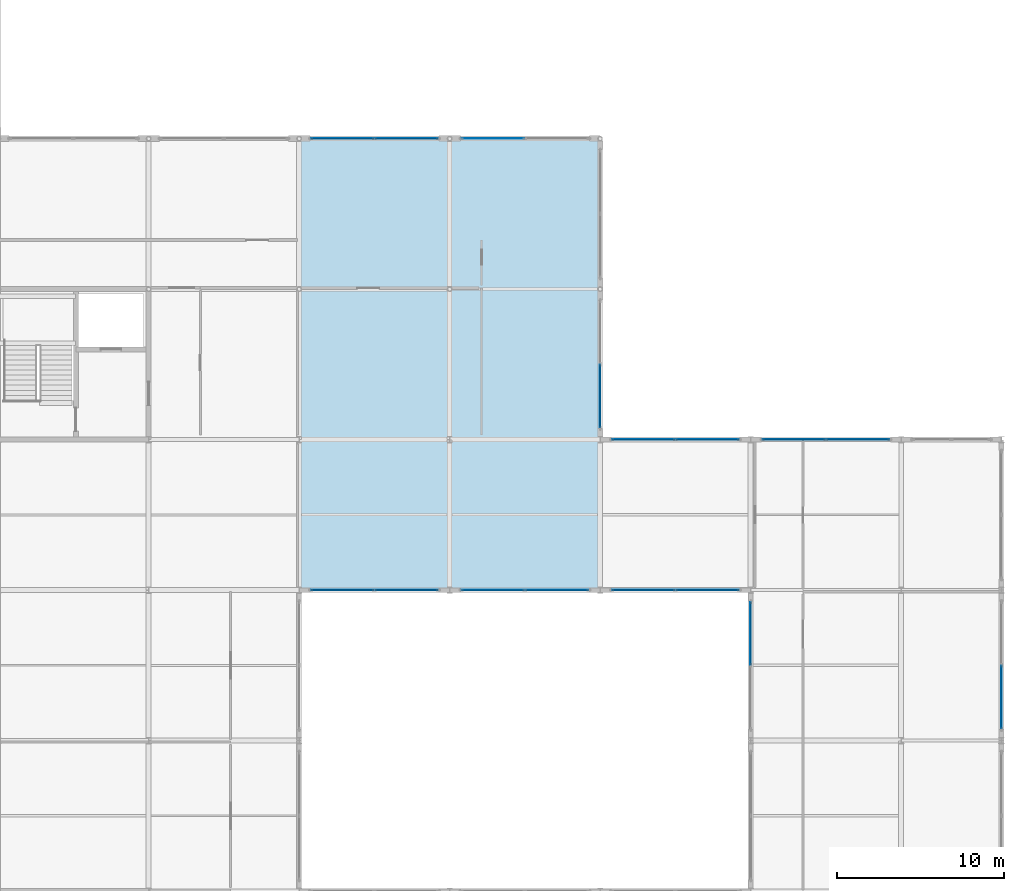
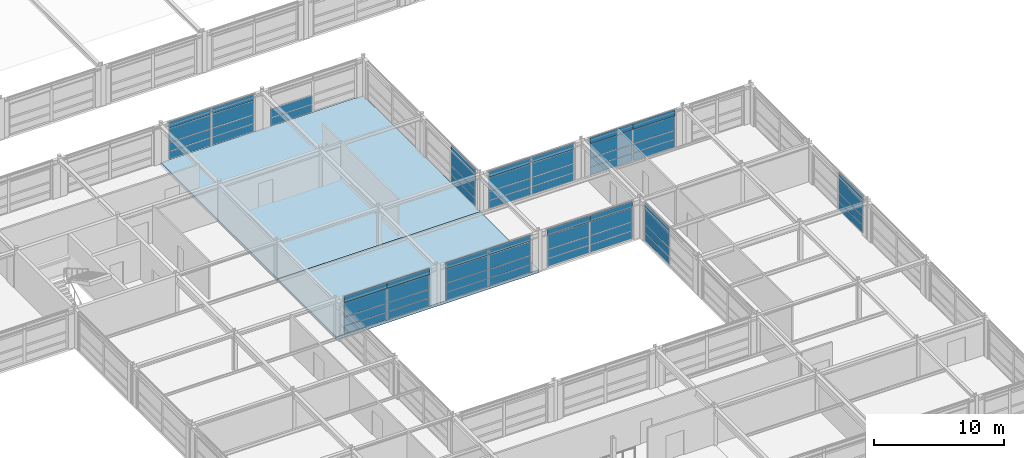
# One storey, part 59 of 79: 62 plates, 2 slabs, 10 elements without a shape of their own.
"""IFC4 building model written with IfcOpenShell, lengths in metres."""

import ifcopenshell
import ifcopenshell.guid

model = None  # the IFC model being written
_history = None  # IfcOwnerHistory: only IFC2X3 demands one
_inside = {}  # id of a spatial element -> (the spatial element, [elements in it])
_under = {}  # id of a project, library or spatial element -> (it, [spatial elements below it])
_declared = {}  # id of a project -> (the project, [libraries it declares])
_typed = {}  # id of a type object -> (the type object, [elements of that type])
_made_of = {}  # id of a material, layer set ... -> (it, [elements and type objects made of it])


def new_model(schema):
    """Start an empty IFC model of exactly this schema.

    Asked for "IFC4X3", IfcOpenShell would pick the latest addendum, in which some entities
    have other attributes; the version numbers below select the first issue.
    IFC2X3 requires an IfcOwnerHistory on every rooted entity: one is made here for all.
    """
    global model, _history
    if schema == "IFC4X3":
        model = ifcopenshell.file(schema_version=(4, 3, 0, 0))
    else:
        model = ifcopenshell.file(schema=schema)
    _inside.clear()
    _under.clear()
    _declared.clear()
    _typed.clear()
    _made_of.clear()
    _history = None
    if model.schema == "IFC2X3":
        org = make("IfcOrganization", Name="unknown")
        user = make(
            "IfcPersonAndOrganization",
            ThePerson=make("IfcPerson", FamilyName="unknown"),
            TheOrganization=org,
        )
        app = make(
            "IfcApplication",
            ApplicationDeveloper=org,
            Version="unknown",
            ApplicationFullName="unknown",
            ApplicationIdentifier="unknown",
        )
        _history = make(
            "IfcOwnerHistory",
            OwningUser=user,
            OwningApplication=app,
            ChangeAction="ADDED",
            CreationDate=0,
        )
    return model


def make(cls, **values):
    """One entity of the class cls with the attributes given. An attribute that is None is left unset."""
    return model.create_entity(
        cls, **{name: value for name, value in values.items() if value is not None}
    )


def rooted(cls, **values):
    """An entity with a GlobalId (a new one), such as an element, a storey or a relation."""
    return make(cls, GlobalId=ifcopenshell.guid.new(), OwnerHistory=_history, **values)


def si_unit(unit_type, name, prefix=None):
    """IfcSIUnit, for example si_unit("LENGTHUNIT", "METRE", prefix="MILLI")."""
    return make("IfcSIUnit", UnitType=unit_type, Prefix=prefix, Name=name)


def assignment(units):
    """IfcUnitAssignment: the units of a project."""
    return None if units is None else make("IfcUnitAssignment", Units=units)


def point(xyz):
    """IfcCartesianPoint."""
    return None if xyz is None else make("IfcCartesianPoint", Coordinates=xyz)


def direction(xyz):
    """IfcDirection."""
    return None if xyz is None else make("IfcDirection", DirectionRatios=xyz)


def frame(location, z_axis=None, x_axis=None):
    """IfcAxis2Placement3D, a coordinate frame: its origin and axes. An axis left out is left unset."""
    return make(
        "IfcAxis2Placement3D",
        Location=point(location),
        Axis=direction(z_axis),
        RefDirection=direction(x_axis),
    )


def frame_2d(location, x_axis=None):
    """IfcAxis2Placement2D, a coordinate frame in the plane: its origin and x axis."""
    return make(
        "IfcAxis2Placement2D", Location=point(location), RefDirection=direction(x_axis)
    )


def origin():
    """The frame at (0, 0, 0) with its axes left unset."""
    return frame((0.0, 0.0, 0.0))


def origin_2d():
    """The frame at (0, 0) in the plane with its x axis left unset."""
    return frame_2d((0.0, 0.0))


def place(relative_to, where):
    """IfcLocalPlacement: puts the frame where relative to a parent placement (None: the world)."""
    return make(
        "IfcLocalPlacement", PlacementRelTo=relative_to, RelativePlacement=where
    )


def context(
    kind, dimensions, precision=None, world=None, true_north=None, identifier=None
):
    """IfcGeometricRepresentationContext, for example the 3D "Model" context."""
    return make(
        "IfcGeometricRepresentationContext",
        ContextIdentifier=identifier,
        ContextType=kind,
        CoordinateSpaceDimension=dimensions,
        Precision=precision,
        WorldCoordinateSystem=world,
        TrueNorth=true_north,
    )


def subcontext(parent, identifier, kind, view, scale=None):
    """IfcGeometricRepresentationSubContext, for example "Body" below "Model"."""
    return make(
        "IfcGeometricRepresentationSubContext",
        ContextIdentifier=identifier,
        ContextType=kind,
        ParentContext=parent,
        TargetScale=scale,
        TargetView=view,
    )


def project(units=None, contexts=None):
    """IfcProject with its units and contexts."""
    return rooted(
        "IfcProject",
        Name="project",
        RepresentationContexts=contexts,
        UnitsInContext=assignment(units),
    )


def spatial(cls, under=None, at=None, **own):
    """A site, building, storey or space (cls), placed at a placement, below another one or the project."""
    s = rooted(cls, ObjectPlacement=at, **own)
    if under is not None:
        _under.setdefault(under.id(), (under, []))[1].append(s)
    return s


def polyline(points):
    """IfcPolyline through the points."""
    return make("IfcPolyline", Points=[point(p) for p in points])


def profile(cls, at=None, kind="AREA", **sizes):
    """A parametric profile (cls). Its sizes go by their IFC names, for example OverallWidth=200.0."""
    return make(cls, ProfileType=kind, Position=at, **sizes)


def rectangle(**sizes):
    """IfcRectangleProfileDef."""
    return profile("IfcRectangleProfileDef", **sizes)


def outline(outer, holes=None, kind="AREA"):
    """IfcArbitraryClosedProfileDef: a profile drawn as a closed curve; with holes, ...WithVoids."""
    if holes is None:
        return make("IfcArbitraryClosedProfileDef", ProfileType=kind, OuterCurve=outer)
    return make(
        "IfcArbitraryProfileDefWithVoids",
        ProfileType=kind,
        OuterCurve=outer,
        InnerCurves=holes,
    )


def extrude(swept, where, along, depth):
    """IfcExtrudedAreaSolid: the profile swept, set in the frame where, extruded along a direction by depth."""
    return make(
        "IfcExtrudedAreaSolid",
        SweptArea=swept,
        Position=where,
        ExtrudedDirection=direction(along),
        Depth=depth,
    )


def shape(context_of_items, identifier, shape_type, items):
    """IfcShapeRepresentation: the items that make up one representation, for example the "Body"."""
    return make(
        "IfcShapeRepresentation",
        ContextOfItems=context_of_items,
        RepresentationIdentifier=identifier,
        RepresentationType=shape_type,
        Items=items,
    )


def material(Name=None, Category=None):
    """IfcMaterial."""
    return make("IfcMaterial", Name=Name, Category=Category)


def layer(
    of_material, thickness, ventilated=None, Name=None, Category=None, Priority=None
):
    """IfcMaterialLayer: one layer of a wall or slab, of a material (None: an air gap)."""
    return make(
        "IfcMaterialLayer",
        Material=of_material,
        LayerThickness=thickness,
        IsVentilated=ventilated,
        Name=Name,
        Category=Category,
        Priority=Priority,
    )


def layer_set(layers, Name=None):
    """IfcMaterialLayerSet."""
    return make("IfcMaterialLayerSet", MaterialLayers=layers, LayerSetName=Name)


def made_of(thing, what):
    """Note that an element or type object is made of a material, layer set ...; save() writes the relation."""
    if what is not None:
        _made_of.setdefault(what.id(), (what, []))[1].append(thing)
    return thing


def type_object(cls, material=None, **own):
    """A type object (cls), such as IfcWallType, which elements share."""
    return made_of(rooted(cls, **own), material)


def element(
    cls,
    number,
    at=None,
    inside=None,
    cuts=None,
    type_object=None,
    material=None,
    context=None,
    identifier="Body",
    shape_type=None,
    held_by="IfcProductDefinitionShape",
    body=None,
    shapes=None,
    **own,
):
    """One element of the class cls, such as IfcWall. Its Tag is "e" and its number.

    at: its placement. inside: the storey or other place that contains it. cuts: it is an
    opening in that element (IfcRelVoidsElement). A single representation is given by context,
    identifier, shape_type and body (its items); several are given by shapes. held_by: the class
    of the entity that holds the representations. save() writes the other relations.
    """
    e = rooted(cls, Tag="e%d" % number, ObjectPlacement=at, **own)
    if body is not None:
        shapes = [shape(context, identifier, shape_type, body)]
    if shapes is not None:
        e.Representation = make(held_by, Representations=shapes)
    if inside is not None:
        _inside.setdefault(inside.id(), (inside, []))[1].append(e)
    if cuts is not None:
        rooted(
            "IfcRelVoidsElement", RelatingBuildingElement=cuts, RelatedOpeningElement=e
        )
    if type_object is not None:
        _typed.setdefault(type_object.id(), (type_object, []))[1].append(e)
    return made_of(e, material)


def aggregate(whole, parts):
    """IfcRelAggregates: a whole, such as a stair, and the parts it consists of."""
    return rooted("IfcRelAggregates", RelatingObject=whole, RelatedObjects=parts)


def save(model, path):
    """Write the relations noted so far, then the file.

    IfcRelAggregates (storeys below a building ...), IfcRelContainedInSpatialStructure (elements
    in a storey), IfcRelDefinesByType, IfcRelAssociatesMaterial and IfcRelDeclares: one each for
    every whole, place, type object, material and project.
    """
    for whole, parts in _under.values():
        aggregate(whole, parts)
    for where, things in _inside.values():
        rooted(
            "IfcRelContainedInSpatialStructure",
            RelatedElements=things,
            RelatingStructure=where,
        )
    for kind, things in _typed.values():
        rooted("IfcRelDefinesByType", RelatedObjects=things, RelatingType=kind)
    for what, things in _made_of.values():
        rooted("IfcRelAssociatesMaterial", RelatedObjects=things, RelatingMaterial=what)
    for by, libraries in _declared.values():
        rooted("IfcRelDeclares", RelatingContext=by, RelatedDefinitions=libraries)
    model.write(path)


model = new_model("IFC4")

# Units and contexts
model_context = context("Model", 3, precision=1e-05, world=origin(), true_north=direction((0.0, 1.0)))
body_context = subcontext(model_context, "Body", "Model", "MODEL_VIEW")
ifc_project = project(units=[si_unit("LENGTHUNIT", "METRE"), si_unit("AREAUNIT", "SQUARE_METRE"), si_unit("VOLUMEUNIT", "CUBIC_METRE"), si_unit("PLANEANGLEUNIT", "RADIAN"), si_unit("MASSUNIT", "GRAM", prefix="KILO")], contexts=[model_context])

# Site, building, storey
site_placement = place(None, origin())
site = spatial("IfcSite", under=ifc_project, at=site_placement, CompositionType="ELEMENT")
building_placement = place(site_placement, origin())
building = spatial("IfcBuilding", under=site, at=building_placement, Name="Palais des Congres Ocreval", CompositionType="ELEMENT")
storey_placement = place(building_placement, frame((0.0, 0.0, 4.320068359375)))
storey = spatial("IfcBuildingStorey", under=building, at=storey_placement, Name="L01", CompositionType="ELEMENT", Elevation=4.320068359375)

# Curtain wall, plates
ifc_material_1 = material(Name="Anodized bronze aluminium and low-E glass", Category="glass")
curtain_wall_type = type_object("IfcCurtainWallType", Name="Unitised Curtain Wall 7900x3660", PredefinedType="USERDEFINED", material=ifc_material_1)
curtain_wall_1_placement = place(storey_placement, origin())
curtain_wall_1 = element("IfcCurtainWall", 1, at=curtain_wall_1_placement, inside=storey, type_object=curtain_wall_type, Name="Unitised Curtain Wall CW02 L01", ObjectType="UNITISED CURTAIN WALL", PredefinedType="USERDEFINED")
ifc_material_2 = material(Name="Acoustic triple glazing", Category="glass")
ifc_layer_1 = layer(ifc_material_2, 0.0439453125)
ifc_layer_set_1 = layer_set([ifc_layer_1], Name="Acoustic Laminated Glazing Panel 44 (Acoustic triple glazing)")
plate_type_1 = type_object("IfcPlateType", Name="Acoustic Laminated Glazing Panel 44", PredefinedType="CURTAIN_PANEL", material=ifc_layer_set_1)
plate_1_placement = place(storey_placement, frame((155.59375, 45.0, 0.06005859375), z_axis=(0.0, 0.0, 1.0), x_axis=(1.0, 0.0, 0.0)))
plate_1 = element("IfcPlate", 2, at=plate_1_placement, type_object=plate_type_1, Name="Vision Glazing Panel VP02", PredefinedType="CURTAIN_PANEL", context=body_context, shape_type="SweptSolid", body=[
    extrude(rectangle(XDim=3.737548828125, YDim=0.0439453125, at=origin_2d()), origin(), (0.0, 0.0, 1.0), 0.68994140625),
])
plate_2_placement = place(storey_placement, frame((155.59375, 45.0, 0.81005859375), z_axis=(0.0, 0.0, 1.0), x_axis=(1.0, 0.0, 0.0)))
plate_2 = element("IfcPlate", 3, at=plate_2_placement, type_object=plate_type_1, Name="Vision Glazing Panel VP02", PredefinedType="CURTAIN_PANEL", context=body_context, shape_type="SweptSolid", body=[
    extrude(rectangle(XDim=3.737548828125, YDim=0.0439453125, at=origin_2d()), origin(), (0.0, 0.0, 1.0), 0.782470703125),
])
plate_3_placement = place(storey_placement, frame((155.59375, 45.0, 1.65234375), z_axis=(0.0, 0.0, 1.0), x_axis=(1.0, 0.0, 0.0)))
plate_3 = element("IfcPlate", 4, at=plate_3_placement, type_object=plate_type_1, Name="Vision Glazing Panel VP02", PredefinedType="CURTAIN_PANEL", context=body_context, shape_type="SweptSolid", body=[
    extrude(rectangle(XDim=3.737548828125, YDim=0.0439453125, at=origin_2d()), origin(), (0.0, 0.0, 1.0), 1.267578125),
])
plate_4_placement = place(storey_placement, frame((159.40625, 45.0, 0.06005859375), z_axis=(0.0, 0.0, 1.0), x_axis=(1.0, 0.0, 0.0)))
plate_4 = element("IfcPlate", 5, at=plate_4_placement, type_object=plate_type_1, Name="Vision Glazing Panel VP02", PredefinedType="CURTAIN_PANEL", context=body_context, shape_type="SweptSolid", body=[
    extrude(rectangle(XDim=3.737548828125, YDim=0.0439453125, at=origin_2d()), origin(), (0.0, 0.0, 1.0), 0.68994140625),
])
plate_5_placement = place(storey_placement, frame((159.40625, 45.0, 0.81005859375), z_axis=(0.0, 0.0, 1.0), x_axis=(1.0, 0.0, 0.0)))
plate_5 = element("IfcPlate", 6, at=plate_5_placement, type_object=plate_type_1, Name="Vision Glazing Panel VP02", PredefinedType="CURTAIN_PANEL", context=body_context, shape_type="SweptSolid", body=[
    extrude(rectangle(XDim=3.737548828125, YDim=0.0439453125, at=origin_2d()), origin(), (0.0, 0.0, 1.0), 0.782470703125),
])
plate_6_placement = place(storey_placement, frame((159.40625, 45.0, 1.65234375), z_axis=(0.0, 0.0, 1.0), x_axis=(1.0, 0.0, 0.0)))
plate_6 = element("IfcPlate", 7, at=plate_6_placement, type_object=plate_type_1, Name="Vision Glazing Panel VP02", PredefinedType="CURTAIN_PANEL", context=body_context, shape_type="SweptSolid", body=[
    extrude(rectangle(XDim=3.737548828125, YDim=0.0439453125, at=origin_2d()), origin(), (0.0, 0.0, 1.0), 1.267578125),
])

curtain_wall_2_placement = place(storey_placement, origin())
curtain_wall_2 = element("IfcCurtainWall", 8, at=curtain_wall_2_placement, inside=storey, type_object=curtain_wall_type, Name="Unitised Curtain Wall CW02 L01", ObjectType="UNITISED CURTAIN WALL", PredefinedType="USERDEFINED")
plate_7_placement = place(storey_placement, frame((168.0, 29.59375, 0.06005859375), z_axis=(0.0, 0.0, 1.0), x_axis=(0.0, -1.0, 0.0)))
plate_7 = element("IfcPlate", 9, at=plate_7_placement, type_object=plate_type_1, Name="Vision Glazing Panel VP02", PredefinedType="CURTAIN_PANEL", context=body_context, shape_type="SweptSolid", body=[
    extrude(rectangle(XDim=3.737548828125, YDim=0.0439453125, at=origin_2d()), origin(), (0.0, 0.0, 1.0), 0.68994140625),
])
plate_8_placement = place(storey_placement, frame((168.0, 29.59375, 0.81005859375), z_axis=(0.0, 0.0, 1.0), x_axis=(0.0, -1.0, 0.0)))
plate_8 = element("IfcPlate", 10, at=plate_8_placement, type_object=plate_type_1, Name="Vision Glazing Panel VP02", PredefinedType="CURTAIN_PANEL", context=body_context, shape_type="SweptSolid", body=[
    extrude(rectangle(XDim=3.737548828125, YDim=0.0439453125, at=origin_2d()), origin(), (0.0, 0.0, 1.0), 0.782470703125),
])
plate_9_placement = place(storey_placement, frame((168.0, 29.59375, 1.65234375), z_axis=(0.0, 0.0, 1.0), x_axis=(0.0, -1.0, 0.0)))
plate_9 = element("IfcPlate", 11, at=plate_9_placement, type_object=plate_type_1, Name="Vision Glazing Panel VP02", PredefinedType="CURTAIN_PANEL", context=body_context, shape_type="SweptSolid", body=[
    extrude(rectangle(XDim=3.737548828125, YDim=0.0439453125, at=origin_2d()), origin(), (0.0, 0.0, 1.0), 1.267578125),
])

curtain_wall_3_placement = place(storey_placement, origin())
curtain_wall_3 = element("IfcCurtainWall", 12, at=curtain_wall_3_placement, inside=storey, type_object=curtain_wall_type, Name="Unitised Curtain Wall CW02 L01", ObjectType="UNITISED CURTAIN WALL", PredefinedType="USERDEFINED")
plate_10_placement = place(storey_placement, frame((141.40625, 36.0, 0.06005859375), z_axis=(0.0, 0.0, 1.0), x_axis=(-1.0, 0.0, 0.0)))
plate_10 = element("IfcPlate", 13, at=plate_10_placement, type_object=plate_type_1, Name="Vision Glazing Panel VP02", PredefinedType="CURTAIN_PANEL", context=body_context, shape_type="SweptSolid", body=[
    extrude(rectangle(XDim=3.737548828125, YDim=0.0439453125, at=origin_2d()), origin(), (0.0, 0.0, 1.0), 0.68994140625),
])
plate_11_placement = place(storey_placement, frame((141.40625, 36.0, 0.81005859375), z_axis=(0.0, 0.0, 1.0), x_axis=(-1.0, 0.0, 0.0)))
plate_11 = element("IfcPlate", 14, at=plate_11_placement, type_object=plate_type_1, Name="Vision Glazing Panel VP02", PredefinedType="CURTAIN_PANEL", context=body_context, shape_type="SweptSolid", body=[
    extrude(rectangle(XDim=3.737548828125, YDim=0.0439453125, at=origin_2d()), origin(), (0.0, 0.0, 1.0), 0.782470703125),
])
plate_12_placement = place(storey_placement, frame((141.40625, 36.0, 1.65234375), z_axis=(0.0, 0.0, 1.0), x_axis=(-1.0, 0.0, 0.0)))
plate_12 = element("IfcPlate", 15, at=plate_12_placement, type_object=plate_type_1, Name="Vision Glazing Panel VP02", PredefinedType="CURTAIN_PANEL", context=body_context, shape_type="SweptSolid", body=[
    extrude(rectangle(XDim=3.737548828125, YDim=0.0439453125, at=origin_2d()), origin(), (0.0, 0.0, 1.0), 1.267578125),
])
plate_13_placement = place(storey_placement, frame((137.59375, 36.0, 0.06005859375), z_axis=(0.0, 0.0, 1.0), x_axis=(-1.0, 0.0, 0.0)))
plate_13 = element("IfcPlate", 16, at=plate_13_placement, type_object=plate_type_1, Name="Vision Glazing Panel VP02", PredefinedType="CURTAIN_PANEL", context=body_context, shape_type="SweptSolid", body=[
    extrude(rectangle(XDim=3.737548828125, YDim=0.0439453125, at=origin_2d()), origin(), (0.0, 0.0, 1.0), 0.68994140625),
])
plate_14_placement = place(storey_placement, frame((137.59375, 36.0, 0.81005859375), z_axis=(0.0, 0.0, 1.0), x_axis=(-1.0, 0.0, 0.0)))
plate_14 = element("IfcPlate", 17, at=plate_14_placement, type_object=plate_type_1, Name="Vision Glazing Panel VP02", PredefinedType="CURTAIN_PANEL", context=body_context, shape_type="SweptSolid", body=[
    extrude(rectangle(XDim=3.737548828125, YDim=0.0439453125, at=origin_2d()), origin(), (0.0, 0.0, 1.0), 0.782470703125),
])
plate_15_placement = place(storey_placement, frame((137.59375, 36.0, 1.65234375), z_axis=(0.0, 0.0, 1.0), x_axis=(-1.0, 0.0, 0.0)))
plate_15 = element("IfcPlate", 18, at=plate_15_placement, type_object=plate_type_1, Name="Vision Glazing Panel VP02", PredefinedType="CURTAIN_PANEL", context=body_context, shape_type="SweptSolid", body=[
    extrude(rectangle(XDim=3.737548828125, YDim=0.0439453125, at=origin_2d()), origin(), (0.0, 0.0, 1.0), 1.267578125),
])

curtain_wall_4_placement = place(storey_placement, origin())
curtain_wall_4 = element("IfcCurtainWall", 19, at=curtain_wall_4_placement, inside=storey, type_object=curtain_wall_type, Name="Unitised Curtain Wall CW02 L01", ObjectType="UNITISED CURTAIN WALL", PredefinedType="USERDEFINED")
ifc_material_3 = material(Name="Anodized bronze aluminium", Category="aluminium")
ifc_layer_2 = layer(ifc_material_3, 0.06005859375)
ifc_layer_set_2 = layer_set([ifc_layer_2], Name="Anodized Bronze Spandrel Cassette 60 (Anodized bronze aluminium)")
plate_type_2 = type_object("IfcPlateType", Name="Anodized Bronze Spandrel Cassette 60", PredefinedType="SHEET", material=ifc_layer_set_2)
plate_16_placement = place(storey_placement, frame((128.59375, 63.0, 2.969970703125), z_axis=(0.0, 0.0, 1.0), x_axis=(1.0, 0.0, 0.0)))
plate_16 = element("IfcPlate", 20, at=plate_16_placement, type_object=plate_type_2, Name="Spandrel Sheet SPN1", PredefinedType="SHEET", context=body_context, shape_type="SweptSolid", body=[
    extrude(rectangle(XDim=3.737548828125, YDim=0.06005859375, at=origin_2d()), origin(), (0.0, 0.0, 1.0), 0.56005859375),
])
plate_17_placement = place(storey_placement, frame((132.40625, 63.0, 2.969970703125), z_axis=(0.0, 0.0, 1.0), x_axis=(1.0, 0.0, 0.0)))
plate_17 = element("IfcPlate", 21, at=plate_17_placement, type_object=plate_type_2, Name="Spandrel Sheet SPN1", PredefinedType="SHEET", context=body_context, shape_type="SweptSolid", body=[
    extrude(rectangle(XDim=3.737548828125, YDim=0.06005859375, at=origin_2d()), origin(), (0.0, 0.0, 1.0), 0.56005859375),
])

curtain_wall_5_placement = place(storey_placement, origin())
curtain_wall_5 = element("IfcCurtainWall", 22, at=curtain_wall_5_placement, inside=storey, type_object=curtain_wall_type, Name="Unitised Curtain Wall CW02 L01", ObjectType="UNITISED CURTAIN WALL", PredefinedType="USERDEFINED")
plate_18_placement = place(storey_placement, frame((146.59375, 45.0, 2.97998046875), z_axis=(0.0, 0.0, 1.0), x_axis=(1.0, 0.0, 0.0)))
plate_18 = element("IfcPlate", 23, at=plate_18_placement, type_object=plate_type_2, Name="Spandrel Sheet SPN1", PredefinedType="SHEET", context=body_context, shape_type="SweptSolid", body=[
    extrude(rectangle(XDim=3.737548828125, YDim=0.06005859375, at=origin_2d()), origin(), (0.0, 0.0, 1.0), 0.56005859375),
])
plate_19_placement = place(storey_placement, frame((150.40625, 45.0, 2.97998046875), z_axis=(0.0, 0.0, 1.0), x_axis=(1.0, 0.0, 0.0)))
plate_19 = element("IfcPlate", 24, at=plate_19_placement, type_object=plate_type_2, Name="Spandrel Sheet SPN1", PredefinedType="SHEET", context=body_context, shape_type="SweptSolid", body=[
    extrude(rectangle(XDim=3.737548828125, YDim=0.06005859375, at=origin_2d()), origin(), (0.0, 0.0, 1.0), 0.56005859375),
])

# Plate
plate_20_placement = place(storey_placement, frame((168.0, 29.59375, 2.97998046875), z_axis=(0.0, 0.0, 1.0), x_axis=(0.0, -1.0, 0.0)))
plate_20 = element("IfcPlate", 25, at=plate_20_placement, type_object=plate_type_2, Name="Spandrel Sheet SPN1", PredefinedType="SHEET", context=body_context, shape_type="SweptSolid", body=[
    extrude(rectangle(XDim=3.737548828125, YDim=0.06005859375, at=origin_2d()), origin(), (0.0, 0.0, 1.0), 0.56005859375),
])

aggregate(curtain_wall_2, [plate_7, plate_8, plate_9, plate_20])

# Curtain wall, plate
curtain_wall_6_placement = place(storey_placement, origin())
curtain_wall_6 = element("IfcCurtainWall", 26, at=curtain_wall_6_placement, inside=storey, type_object=curtain_wall_type, Name="Unitised Curtain Wall CW02 L01", ObjectType="UNITISED CURTAIN WALL", PredefinedType="USERDEFINED")
plate_21_placement = place(storey_placement, frame((153.0, 33.40625, 2.97998046875), z_axis=(0.0, 0.0, 1.0), x_axis=(0.0, 1.0, 0.0)))
plate_21 = element("IfcPlate", 27, at=plate_21_placement, type_object=plate_type_2, Name="Spandrel Sheet SPN1", PredefinedType="SHEET", context=body_context, shape_type="SweptSolid", body=[
    extrude(rectangle(XDim=3.737548828125, YDim=0.06005859375, at=origin_2d()), origin(), (0.0, 0.0, 1.0), 0.56005859375),
])

# Plate
plate_22_placement = place(storey_placement, frame((141.40625, 36.0, 2.97998046875), z_axis=(0.0, 0.0, 1.0), x_axis=(-1.0, 0.0, 0.0)))
plate_22 = element("IfcPlate", 28, at=plate_22_placement, type_object=plate_type_2, Name="Spandrel Sheet SPN1", PredefinedType="SHEET", context=body_context, shape_type="SweptSolid", body=[
    extrude(rectangle(XDim=3.737548828125, YDim=0.06005859375, at=origin_2d()), origin(), (0.0, 0.0, 1.0), 0.56005859375),
])

plate_23_placement = place(storey_placement, frame((137.59375, 36.0, 2.97998046875), z_axis=(0.0, 0.0, 1.0), x_axis=(-1.0, 0.0, 0.0)))
plate_23 = element("IfcPlate", 29, at=plate_23_placement, type_object=plate_type_2, Name="Spandrel Sheet SPN1", PredefinedType="SHEET", context=body_context, shape_type="SweptSolid", body=[
    extrude(rectangle(XDim=3.737548828125, YDim=0.06005859375, at=origin_2d()), origin(), (0.0, 0.0, 1.0), 0.56005859375),
])

aggregate(curtain_wall_3, [plate_10, plate_11, plate_12, plate_22, plate_13, plate_14, plate_15, plate_23])

# Slabs
ifc_material_4 = material(Name="Concrete C35/45", Category="concrete")
ifc_layer_3 = layer(ifc_material_4, 0.2548828125)
ifc_layer_set_3 = layer_set([ifc_layer_3], Name="Composite Floor Deck 255 Concrete C35/45")
slab_type_1 = type_object("IfcSlabType", Name="Composite Floor Deck 255 Concrete C35/45", PredefinedType="FLOOR", material=ifc_layer_set_3)
slab_1_placement = place(storey_placement, frame((0.0, 0.0, -0.255126953125)))
element("IfcSlab", 30, at=slab_1_placement, inside=storey, type_object=slab_type_1, Name="Floor Slab SL13 L01 V3-2", PredefinedType="FLOOR", context=body_context, shape_type="SweptSolid", body=[
    extrude(outline(polyline([(144.0, 45.0), (144.0, 36.0), (126.0, 36.0), (126.0, 45.0), (144.0, 45.0)])), origin(), (0.0, 0.0, 1.0), 0.255126953125),
])
ifc_layer_4 = layer(ifc_material_4, 0.264892578125)
ifc_layer_set_4 = layer_set([ifc_layer_4], Name="Crossroads Gallery Composite Slab 265 Concrete C35/45")
slab_type_2 = type_object("IfcSlabType", Name="Crossroads Gallery Composite Slab 265 Concrete C35/45", PredefinedType="FLOOR", material=ifc_layer_set_4)
slab_2_placement = place(storey_placement, frame((0.0, 0.0, -0.26513671875)))
element("IfcSlab", 31, at=slab_2_placement, inside=storey, type_object=slab_type_2, Name="Floor Slab SL14 L01 V5-8", PredefinedType="FLOOR", context=body_context, shape_type="SweptSolid", body=[
    extrude(outline(polyline([(144.0, 63.0), (144.0, 45.0), (126.0, 45.0), (126.0, 63.0), (144.0, 63.0)])), origin(), (0.0, 0.0, 1.0), 0.26513671875),
])

# Plate
ifc_material_5 = material(Name="Low-E solar-control double glazing", Category="glass")
ifc_layer_5 = layer(ifc_material_5, 0.031982421875)
ifc_layer_set_5 = layer_set([ifc_layer_5], Name="Galleria Clear Vision Panel 32 (Low-E solar-control double glazing)")
plate_type_3 = type_object("IfcPlateType", Name="Galleria Clear Vision Panel 32", PredefinedType="CURTAIN_PANEL", material=ifc_layer_set_5)
plate_24_placement = place(storey_placement, frame((128.59375, 63.0, 0.06005859375), z_axis=(0.0, 0.0, 1.0), x_axis=(1.0, 0.0, 0.0)))
plate_24 = element("IfcPlate", 32, at=plate_24_placement, type_object=plate_type_3, Name="Vision Glazing Panel VP03", PredefinedType="CURTAIN_PANEL", context=body_context, shape_type="SweptSolid", body=[
    extrude(rectangle(XDim=3.737548828125, YDim=0.031982421875, at=origin_2d()), origin(), (0.0, 0.0, 1.0), 0.68994140625),
])

plate_25_placement = place(storey_placement, frame((128.59375, 63.0, 0.81005859375), z_axis=(0.0, 0.0, 1.0), x_axis=(1.0, 0.0, 0.0)))
plate_25 = element("IfcPlate", 33, at=plate_25_placement, type_object=plate_type_3, Name="Vision Glazing Panel VP03", PredefinedType="CURTAIN_PANEL", context=body_context, shape_type="SweptSolid", body=[
    extrude(rectangle(XDim=3.737548828125, YDim=0.031982421875, at=origin_2d()), origin(), (0.0, 0.0, 1.0), 0.777099609375),
])

plate_26_placement = place(storey_placement, frame((128.59375, 63.0, 1.64697265625), z_axis=(0.0, 0.0, 1.0), x_axis=(1.0, 0.0, 0.0)))
plate_26 = element("IfcPlate", 34, at=plate_26_placement, type_object=plate_type_3, Name="Vision Glazing Panel VP03", PredefinedType="CURTAIN_PANEL", context=body_context, shape_type="SweptSolid", body=[
    extrude(rectangle(XDim=3.737548828125, YDim=0.031982421875, at=origin_2d()), origin(), (0.0, 0.0, 1.0), 1.262939453125),
])

plate_27_placement = place(storey_placement, frame((132.40625, 63.0, 0.06005859375), z_axis=(0.0, 0.0, 1.0), x_axis=(1.0, 0.0, 0.0)))
plate_27 = element("IfcPlate", 35, at=plate_27_placement, type_object=plate_type_3, Name="Vision Glazing Panel VP03", PredefinedType="CURTAIN_PANEL", context=body_context, shape_type="SweptSolid", body=[
    extrude(rectangle(XDim=3.737548828125, YDim=0.031982421875, at=origin_2d()), origin(), (0.0, 0.0, 1.0), 0.68994140625),
])

plate_28_placement = place(storey_placement, frame((132.40625, 63.0, 0.81005859375), z_axis=(0.0, 0.0, 1.0), x_axis=(1.0, 0.0, 0.0)))
plate_28 = element("IfcPlate", 36, at=plate_28_placement, type_object=plate_type_3, Name="Vision Glazing Panel VP03", PredefinedType="CURTAIN_PANEL", context=body_context, shape_type="SweptSolid", body=[
    extrude(rectangle(XDim=3.737548828125, YDim=0.031982421875, at=origin_2d()), origin(), (0.0, 0.0, 1.0), 0.777099609375),
])

plate_29_placement = place(storey_placement, frame((132.40625, 63.0, 1.64697265625), z_axis=(0.0, 0.0, 1.0), x_axis=(1.0, 0.0, 0.0)))
plate_29 = element("IfcPlate", 37, at=plate_29_placement, type_object=plate_type_3, Name="Vision Glazing Panel VP03", PredefinedType="CURTAIN_PANEL", context=body_context, shape_type="SweptSolid", body=[
    extrude(rectangle(XDim=3.737548828125, YDim=0.031982421875, at=origin_2d()), origin(), (0.0, 0.0, 1.0), 1.262939453125),
])

aggregate(curtain_wall_4, [plate_24, plate_25, plate_26, plate_16, plate_27, plate_28, plate_29, plate_17])

# Curtain wall, plates
curtain_wall_7_placement = place(storey_placement, origin())
curtain_wall_7 = element("IfcCurtainWall", 38, at=curtain_wall_7_placement, inside=storey, type_object=curtain_wall_type, Name="Unitised Curtain Wall CW02 L01", ObjectType="UNITISED CURTAIN WALL", PredefinedType="USERDEFINED")
plate_30_placement = place(storey_placement, frame((144.0, 47.59375, 0.06005859375), z_axis=(0.0, 0.0, 1.0), x_axis=(0.0, -1.0, 0.0)))
plate_30 = element("IfcPlate", 39, at=plate_30_placement, type_object=plate_type_3, Name="Vision Glazing Panel VP03", PredefinedType="CURTAIN_PANEL", context=body_context, shape_type="SweptSolid", body=[
    extrude(rectangle(XDim=3.737548828125, YDim=0.031982421875, at=origin_2d()), origin(), (0.0, 0.0, 1.0), 0.68994140625),
])
plate_31_placement = place(storey_placement, frame((144.0, 47.59375, 0.81005859375), z_axis=(0.0, 0.0, 1.0), x_axis=(0.0, -1.0, 0.0)))
plate_31 = element("IfcPlate", 40, at=plate_31_placement, type_object=plate_type_3, Name="Vision Glazing Panel VP03", PredefinedType="CURTAIN_PANEL", context=body_context, shape_type="SweptSolid", body=[
    extrude(rectangle(XDim=3.737548828125, YDim=0.031982421875, at=origin_2d()), origin(), (0.0, 0.0, 1.0), 0.777099609375),
])
plate_32_placement = place(storey_placement, frame((144.0, 47.59375, 1.64697265625), z_axis=(0.0, 0.0, 1.0), x_axis=(0.0, -1.0, 0.0)))
plate_32 = element("IfcPlate", 41, at=plate_32_placement, type_object=plate_type_3, Name="Vision Glazing Panel VP03", PredefinedType="CURTAIN_PANEL", context=body_context, shape_type="SweptSolid", body=[
    extrude(rectangle(XDim=3.737548828125, YDim=0.031982421875, at=origin_2d()), origin(), (0.0, 0.0, 1.0), 1.262939453125),
])

# Plate
plate_33_placement = place(storey_placement, frame((153.0, 33.40625, 0.06005859375), z_axis=(0.0, 0.0, 1.0), x_axis=(0.0, 1.0, 0.0)))
plate_33 = element("IfcPlate", 42, at=plate_33_placement, type_object=plate_type_3, Name="Vision Glazing Panel VP03", PredefinedType="CURTAIN_PANEL", context=body_context, shape_type="SweptSolid", body=[
    extrude(rectangle(XDim=3.737548828125, YDim=0.031982421875, at=origin_2d()), origin(), (0.0, 0.0, 1.0), 0.68994140625),
])

plate_34_placement = place(storey_placement, frame((153.0, 33.40625, 0.81005859375), z_axis=(0.0, 0.0, 1.0), x_axis=(0.0, 1.0, 0.0)))
plate_34 = element("IfcPlate", 43, at=plate_34_placement, type_object=plate_type_3, Name="Vision Glazing Panel VP03", PredefinedType="CURTAIN_PANEL", context=body_context, shape_type="SweptSolid", body=[
    extrude(rectangle(XDim=3.737548828125, YDim=0.031982421875, at=origin_2d()), origin(), (0.0, 0.0, 1.0), 0.782470703125),
])

plate_35_placement = place(storey_placement, frame((153.0, 33.40625, 1.65234375), z_axis=(0.0, 0.0, 1.0), x_axis=(0.0, 1.0, 0.0)))
plate_35 = element("IfcPlate", 44, at=plate_35_placement, type_object=plate_type_3, Name="Vision Glazing Panel VP03", PredefinedType="CURTAIN_PANEL", context=body_context, shape_type="SweptSolid", body=[
    extrude(rectangle(XDim=3.737548828125, YDim=0.031982421875, at=origin_2d()), origin(), (0.0, 0.0, 1.0), 1.267578125),
])

aggregate(curtain_wall_6, [plate_33, plate_34, plate_35, plate_21])

# Curtain wall, plates
curtain_wall_8_placement = place(storey_placement, origin())
curtain_wall_8 = element("IfcCurtainWall", 45, at=curtain_wall_8_placement, inside=storey, type_object=curtain_wall_type, Name="Unitised Curtain Wall CW02 L01", ObjectType="UNITISED CURTAIN WALL", PredefinedType="USERDEFINED")
plate_36_placement = place(storey_placement, frame((132.40625, 36.0, 0.06005859375), z_axis=(0.0, 0.0, 1.0), x_axis=(-1.0, 0.0, 0.0)))
plate_36 = element("IfcPlate", 46, at=plate_36_placement, type_object=plate_type_3, Name="Vision Glazing Panel VP03", PredefinedType="CURTAIN_PANEL", context=body_context, shape_type="SweptSolid", body=[
    extrude(rectangle(XDim=3.737548828125, YDim=0.031982421875, at=origin_2d()), origin(), (0.0, 0.0, 1.0), 0.68994140625),
])
plate_37_placement = place(storey_placement, frame((132.40625, 36.0, 0.81005859375), z_axis=(0.0, 0.0, 1.0), x_axis=(-1.0, 0.0, 0.0)))
plate_37 = element("IfcPlate", 47, at=plate_37_placement, type_object=plate_type_3, Name="Vision Glazing Panel VP03", PredefinedType="CURTAIN_PANEL", context=body_context, shape_type="SweptSolid", body=[
    extrude(rectangle(XDim=3.737548828125, YDim=0.031982421875, at=origin_2d()), origin(), (0.0, 0.0, 1.0), 0.782470703125),
])
plate_38_placement = place(storey_placement, frame((132.40625, 36.0, 1.65234375), z_axis=(0.0, 0.0, 1.0), x_axis=(-1.0, 0.0, 0.0)))
plate_38 = element("IfcPlate", 48, at=plate_38_placement, type_object=plate_type_3, Name="Vision Glazing Panel VP03", PredefinedType="CURTAIN_PANEL", context=body_context, shape_type="SweptSolid", body=[
    extrude(rectangle(XDim=3.737548828125, YDim=0.031982421875, at=origin_2d()), origin(), (0.0, 0.0, 1.0), 1.267578125),
])
plate_39_placement = place(storey_placement, frame((128.59375, 36.0, 0.06005859375), z_axis=(0.0, 0.0, 1.0), x_axis=(-1.0, 0.0, 0.0)))
plate_39 = element("IfcPlate", 49, at=plate_39_placement, type_object=plate_type_3, Name="Vision Glazing Panel VP03", PredefinedType="CURTAIN_PANEL", context=body_context, shape_type="SweptSolid", body=[
    extrude(rectangle(XDim=3.737548828125, YDim=0.031982421875, at=origin_2d()), origin(), (0.0, 0.0, 1.0), 0.68994140625),
])
plate_40_placement = place(storey_placement, frame((128.59375, 36.0, 0.81005859375), z_axis=(0.0, 0.0, 1.0), x_axis=(-1.0, 0.0, 0.0)))
plate_40 = element("IfcPlate", 50, at=plate_40_placement, type_object=plate_type_3, Name="Vision Glazing Panel VP03", PredefinedType="CURTAIN_PANEL", context=body_context, shape_type="SweptSolid", body=[
    extrude(rectangle(XDim=3.737548828125, YDim=0.031982421875, at=origin_2d()), origin(), (0.0, 0.0, 1.0), 0.782470703125),
])
plate_41_placement = place(storey_placement, frame((128.59375, 36.0, 1.65234375), z_axis=(0.0, 0.0, 1.0), x_axis=(-1.0, 0.0, 0.0)))
plate_41 = element("IfcPlate", 51, at=plate_41_placement, type_object=plate_type_3, Name="Vision Glazing Panel VP03", PredefinedType="CURTAIN_PANEL", context=body_context, shape_type="SweptSolid", body=[
    extrude(rectangle(XDim=3.737548828125, YDim=0.031982421875, at=origin_2d()), origin(), (0.0, 0.0, 1.0), 1.267578125),
])

curtain_wall_9_placement = place(storey_placement, origin())
curtain_wall_9 = element("IfcCurtainWall", 52, at=curtain_wall_9_placement, inside=storey, type_object=curtain_wall_type, Name="Unitised Curtain Wall CW02 L01", ObjectType="UNITISED CURTAIN WALL", PredefinedType="USERDEFINED")
ifc_layer_6 = layer(ifc_material_5, 0.035888671875)
ifc_layer_set_6 = layer_set([ifc_layer_6], Name="Low-E Vision Glazing Panel 36 (Low-E solar-control double glazing)")
plate_type_4 = type_object("IfcPlateType", Name="Low-E Vision Glazing Panel 36", PredefinedType="CURTAIN_PANEL", material=ifc_layer_set_6)
plate_42_placement = place(storey_placement, frame((137.59375, 63.0, 0.06005859375), z_axis=(0.0, 0.0, 1.0), x_axis=(1.0, 0.0, 0.0)))
plate_42 = element("IfcPlate", 53, at=plate_42_placement, type_object=plate_type_4, Name="Vision Glazing Panel VP01", PredefinedType="CURTAIN_PANEL", context=body_context, shape_type="SweptSolid", body=[
    extrude(rectangle(XDim=3.737548828125, YDim=0.035888671875, at=origin_2d()), origin(), (0.0, 0.0, 1.0), 0.68994140625),
])
plate_43_placement = place(storey_placement, frame((137.59375, 63.0, 0.81005859375), z_axis=(0.0, 0.0, 1.0), x_axis=(1.0, 0.0, 0.0)))
plate_43 = element("IfcPlate", 54, at=plate_43_placement, type_object=plate_type_4, Name="Vision Glazing Panel VP01", PredefinedType="CURTAIN_PANEL", context=body_context, shape_type="SweptSolid", body=[
    extrude(rectangle(XDim=3.737548828125, YDim=0.035888671875, at=origin_2d()), origin(), (0.0, 0.0, 1.0), 0.777099609375),
])
aggregate(curtain_wall_9, [plate_42, plate_43])

# Plate
plate_44_placement = place(storey_placement, frame((146.59375, 45.0, 0.06005859375), z_axis=(0.0, 0.0, 1.0), x_axis=(1.0, 0.0, 0.0)))
plate_44 = element("IfcPlate", 55, at=plate_44_placement, type_object=plate_type_4, Name="Vision Glazing Panel VP01", PredefinedType="CURTAIN_PANEL", context=body_context, shape_type="SweptSolid", body=[
    extrude(rectangle(XDim=3.737548828125, YDim=0.035888671875, at=origin_2d()), origin(), (0.0, 0.0, 1.0), 0.68994140625),
])

plate_45_placement = place(storey_placement, frame((146.59375, 45.0, 0.81005859375), z_axis=(0.0, 0.0, 1.0), x_axis=(1.0, 0.0, 0.0)))
plate_45 = element("IfcPlate", 56, at=plate_45_placement, type_object=plate_type_4, Name="Vision Glazing Panel VP01", PredefinedType="CURTAIN_PANEL", context=body_context, shape_type="SweptSolid", body=[
    extrude(rectangle(XDim=3.737548828125, YDim=0.035888671875, at=origin_2d()), origin(), (0.0, 0.0, 1.0), 0.782470703125),
])

plate_46_placement = place(storey_placement, frame((146.59375, 45.0, 1.65234375), z_axis=(0.0, 0.0, 1.0), x_axis=(1.0, 0.0, 0.0)))
plate_46 = element("IfcPlate", 57, at=plate_46_placement, type_object=plate_type_4, Name="Vision Glazing Panel VP01", PredefinedType="CURTAIN_PANEL", context=body_context, shape_type="SweptSolid", body=[
    extrude(rectangle(XDim=3.737548828125, YDim=0.035888671875, at=origin_2d()), origin(), (0.0, 0.0, 1.0), 1.267578125),
])

plate_47_placement = place(storey_placement, frame((150.40625, 45.0, 0.06005859375), z_axis=(0.0, 0.0, 1.0), x_axis=(1.0, 0.0, 0.0)))
plate_47 = element("IfcPlate", 58, at=plate_47_placement, type_object=plate_type_4, Name="Vision Glazing Panel VP01", PredefinedType="CURTAIN_PANEL", context=body_context, shape_type="SweptSolid", body=[
    extrude(rectangle(XDim=3.737548828125, YDim=0.035888671875, at=origin_2d()), origin(), (0.0, 0.0, 1.0), 0.68994140625),
])

plate_48_placement = place(storey_placement, frame((150.40625, 45.0, 0.81005859375), z_axis=(0.0, 0.0, 1.0), x_axis=(1.0, 0.0, 0.0)))
plate_48 = element("IfcPlate", 59, at=plate_48_placement, type_object=plate_type_4, Name="Vision Glazing Panel VP01", PredefinedType="CURTAIN_PANEL", context=body_context, shape_type="SweptSolid", body=[
    extrude(rectangle(XDim=3.737548828125, YDim=0.035888671875, at=origin_2d()), origin(), (0.0, 0.0, 1.0), 0.782470703125),
])

plate_49_placement = place(storey_placement, frame((150.40625, 45.0, 1.65234375), z_axis=(0.0, 0.0, 1.0), x_axis=(1.0, 0.0, 0.0)))
plate_49 = element("IfcPlate", 60, at=plate_49_placement, type_object=plate_type_4, Name="Vision Glazing Panel VP01", PredefinedType="CURTAIN_PANEL", context=body_context, shape_type="SweptSolid", body=[
    extrude(rectangle(XDim=3.737548828125, YDim=0.035888671875, at=origin_2d()), origin(), (0.0, 0.0, 1.0), 1.267578125),
])

aggregate(curtain_wall_5, [plate_44, plate_45, plate_46, plate_18, plate_47, plate_48, plate_49, plate_19])

# Curtain wall, plates
curtain_wall_10_placement = place(storey_placement, origin())
curtain_wall_10 = element("IfcCurtainWall", 61, at=curtain_wall_10_placement, inside=storey, type_object=curtain_wall_type, Name="Unitised Curtain Wall CW02 L01", ObjectType="UNITISED CURTAIN WALL", PredefinedType="USERDEFINED")
plate_50_placement = place(storey_placement, frame((150.40625, 36.0, 0.06005859375), z_axis=(0.0, 0.0, 1.0), x_axis=(-1.0, 0.0, 0.0)))
plate_50 = element("IfcPlate", 62, at=plate_50_placement, type_object=plate_type_4, Name="Vision Glazing Panel VP01", PredefinedType="CURTAIN_PANEL", context=body_context, shape_type="SweptSolid", body=[
    extrude(rectangle(XDim=3.737548828125, YDim=0.035888671875, at=origin_2d()), origin(), (0.0, 0.0, 1.0), 0.68994140625),
])
plate_51_placement = place(storey_placement, frame((150.40625, 36.0, 0.81005859375), z_axis=(0.0, 0.0, 1.0), x_axis=(-1.0, 0.0, 0.0)))
plate_51 = element("IfcPlate", 63, at=plate_51_placement, type_object=plate_type_4, Name="Vision Glazing Panel VP01", PredefinedType="CURTAIN_PANEL", context=body_context, shape_type="SweptSolid", body=[
    extrude(rectangle(XDim=3.737548828125, YDim=0.035888671875, at=origin_2d()), origin(), (0.0, 0.0, 1.0), 0.782470703125),
])
plate_52_placement = place(storey_placement, frame((150.40625, 36.0, 1.65234375), z_axis=(0.0, 0.0, 1.0), x_axis=(-1.0, 0.0, 0.0)))
plate_52 = element("IfcPlate", 64, at=plate_52_placement, type_object=plate_type_4, Name="Vision Glazing Panel VP01", PredefinedType="CURTAIN_PANEL", context=body_context, shape_type="SweptSolid", body=[
    extrude(rectangle(XDim=3.737548828125, YDim=0.035888671875, at=origin_2d()), origin(), (0.0, 0.0, 1.0), 1.267578125),
])
plate_53_placement = place(storey_placement, frame((146.59375, 36.0, 0.06005859375), z_axis=(0.0, 0.0, 1.0), x_axis=(-1.0, 0.0, 0.0)))
plate_53 = element("IfcPlate", 65, at=plate_53_placement, type_object=plate_type_4, Name="Vision Glazing Panel VP01", PredefinedType="CURTAIN_PANEL", context=body_context, shape_type="SweptSolid", body=[
    extrude(rectangle(XDim=3.737548828125, YDim=0.035888671875, at=origin_2d()), origin(), (0.0, 0.0, 1.0), 0.68994140625),
])
plate_54_placement = place(storey_placement, frame((146.59375, 36.0, 0.81005859375), z_axis=(0.0, 0.0, 1.0), x_axis=(-1.0, 0.0, 0.0)))
plate_54 = element("IfcPlate", 66, at=plate_54_placement, type_object=plate_type_4, Name="Vision Glazing Panel VP01", PredefinedType="CURTAIN_PANEL", context=body_context, shape_type="SweptSolid", body=[
    extrude(rectangle(XDim=3.737548828125, YDim=0.035888671875, at=origin_2d()), origin(), (0.0, 0.0, 1.0), 0.782470703125),
])
plate_55_placement = place(storey_placement, frame((146.59375, 36.0, 1.65234375), z_axis=(0.0, 0.0, 1.0), x_axis=(-1.0, 0.0, 0.0)))
plate_55 = element("IfcPlate", 67, at=plate_55_placement, type_object=plate_type_4, Name="Vision Glazing Panel VP01", PredefinedType="CURTAIN_PANEL", context=body_context, shape_type="SweptSolid", body=[
    extrude(rectangle(XDim=3.737548828125, YDim=0.035888671875, at=origin_2d()), origin(), (0.0, 0.0, 1.0), 1.267578125),
])

# Plate
ifc_material_6 = material(Name="Terracotta ceramic spandrel", Category="masonry")
ifc_layer_7 = layer(ifc_material_6, 0.080078125)
ifc_layer_set_7 = layer_set([ifc_layer_7], Name="Terracotta Insulated Spandrel Sheet 80 (Terracotta ceramic spandrel)")
plate_type_5 = type_object("IfcPlateType", Name="Terracotta Insulated Spandrel Sheet 80", PredefinedType="SHEET", material=ifc_layer_set_7)
plate_56_placement = place(storey_placement, frame((144.0, 47.59375, 2.969970703125), z_axis=(0.0, 0.0, 1.0), x_axis=(0.0, -1.0, 0.0)))
plate_56 = element("IfcPlate", 68, at=plate_56_placement, type_object=plate_type_5, Name="Spandrel Sheet SPN2", PredefinedType="SHEET", context=body_context, shape_type="SweptSolid", body=[
    extrude(rectangle(XDim=3.737548828125, YDim=0.080078125, at=origin_2d()), origin(), (0.0, 0.0, 1.0), 0.56005859375),
])

aggregate(curtain_wall_7, [plate_30, plate_31, plate_32, plate_56])

plate_57_placement = place(storey_placement, frame((155.59375, 45.0, 2.97998046875), z_axis=(0.0, 0.0, 1.0), x_axis=(1.0, 0.0, 0.0)))
plate_57 = element("IfcPlate", 69, at=plate_57_placement, type_object=plate_type_5, Name="Spandrel Sheet SPN2", PredefinedType="SHEET", context=body_context, shape_type="SweptSolid", body=[
    extrude(rectangle(XDim=3.737548828125, YDim=0.080078125, at=origin_2d()), origin(), (0.0, 0.0, 1.0), 0.56005859375),
])

plate_58_placement = place(storey_placement, frame((159.40625, 45.0, 2.97998046875), z_axis=(0.0, 0.0, 1.0), x_axis=(1.0, 0.0, 0.0)))
plate_58 = element("IfcPlate", 70, at=plate_58_placement, type_object=plate_type_5, Name="Spandrel Sheet SPN2", PredefinedType="SHEET", context=body_context, shape_type="SweptSolid", body=[
    extrude(rectangle(XDim=3.737548828125, YDim=0.080078125, at=origin_2d()), origin(), (0.0, 0.0, 1.0), 0.56005859375),
])

aggregate(curtain_wall_1, [plate_1, plate_2, plate_3, plate_57, plate_4, plate_5, plate_6, plate_58])

plate_59_placement = place(storey_placement, frame((150.40625, 36.0, 2.97998046875), z_axis=(0.0, 0.0, 1.0), x_axis=(-1.0, 0.0, 0.0)))
plate_59 = element("IfcPlate", 71, at=plate_59_placement, type_object=plate_type_5, Name="Spandrel Sheet SPN2", PredefinedType="SHEET", context=body_context, shape_type="SweptSolid", body=[
    extrude(rectangle(XDim=3.737548828125, YDim=0.080078125, at=origin_2d()), origin(), (0.0, 0.0, 1.0), 0.56005859375),
])

plate_60_placement = place(storey_placement, frame((146.59375, 36.0, 2.97998046875), z_axis=(0.0, 0.0, 1.0), x_axis=(-1.0, 0.0, 0.0)))
plate_60 = element("IfcPlate", 72, at=plate_60_placement, type_object=plate_type_5, Name="Spandrel Sheet SPN2", PredefinedType="SHEET", context=body_context, shape_type="SweptSolid", body=[
    extrude(rectangle(XDim=3.737548828125, YDim=0.080078125, at=origin_2d()), origin(), (0.0, 0.0, 1.0), 0.56005859375),
])

aggregate(curtain_wall_10, [plate_50, plate_51, plate_52, plate_59, plate_53, plate_54, plate_55, plate_60])

plate_61_placement = place(storey_placement, frame((132.40625, 36.0, 2.97998046875), z_axis=(0.0, 0.0, 1.0), x_axis=(-1.0, 0.0, 0.0)))
plate_61 = element("IfcPlate", 73, at=plate_61_placement, type_object=plate_type_5, Name="Spandrel Sheet SPN2", PredefinedType="SHEET", context=body_context, shape_type="SweptSolid", body=[
    extrude(rectangle(XDim=3.737548828125, YDim=0.080078125, at=origin_2d()), origin(), (0.0, 0.0, 1.0), 0.56005859375),
])

plate_62_placement = place(storey_placement, frame((128.59375, 36.0, 2.97998046875), z_axis=(0.0, 0.0, 1.0), x_axis=(-1.0, 0.0, 0.0)))
plate_62 = element("IfcPlate", 74, at=plate_62_placement, type_object=plate_type_5, Name="Spandrel Sheet SPN2", PredefinedType="SHEET", context=body_context, shape_type="SweptSolid", body=[
    extrude(rectangle(XDim=3.737548828125, YDim=0.080078125, at=origin_2d()), origin(), (0.0, 0.0, 1.0), 0.56005859375),
])

aggregate(curtain_wall_8, [plate_36, plate_37, plate_38, plate_61, plate_39, plate_40, plate_41, plate_62])

save(model, "model.ifc")
